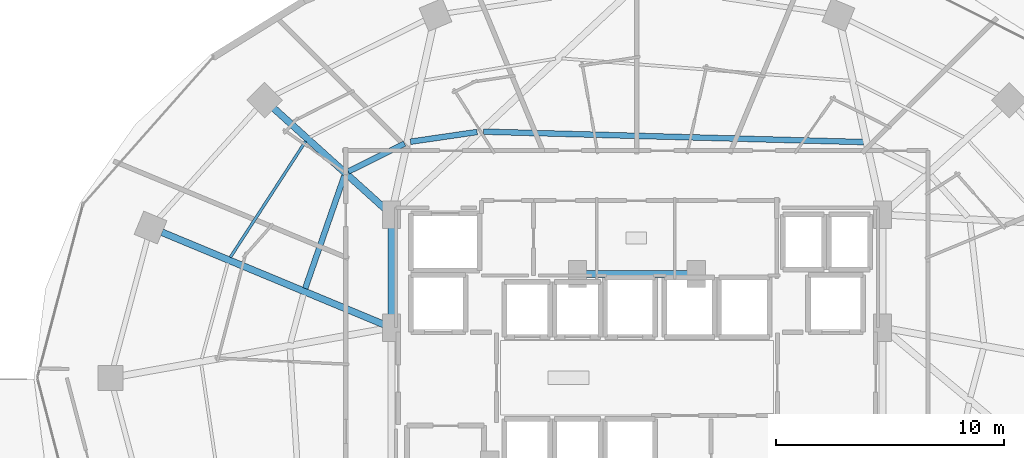
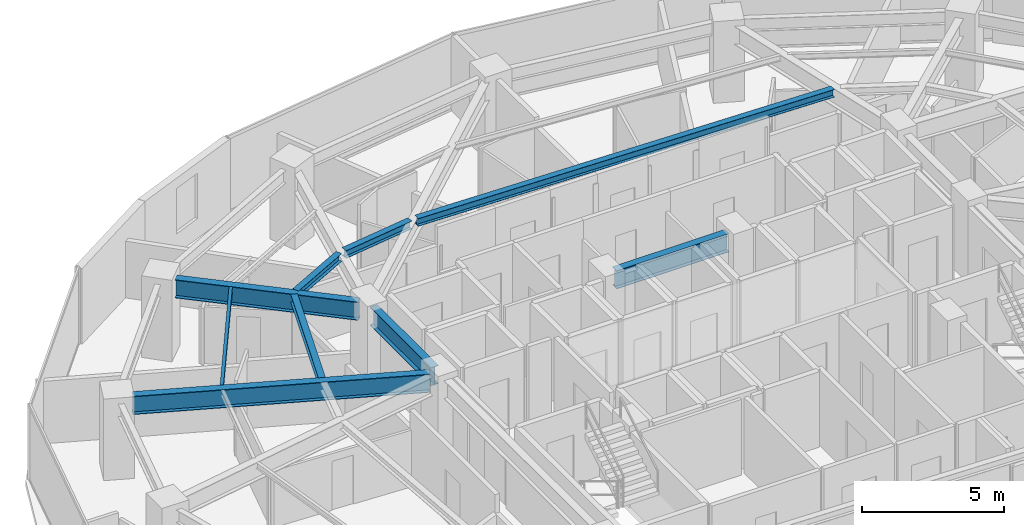
# One storey, part 10 of 30: 9 beams.
"""IFC4 building model written with IfcOpenShell, lengths in metres."""

from ifc_helpers import new_model, si_unit, direction, frame, origin, origin_2d, place, context, subcontext, project, spatial, i_section, extrude, material, material_profile, profile_set, type_object, element, save


model = new_model("IFC4")

# Units and contexts
model_context = context("Model", 3, precision=1e-05, world=origin(), true_north=direction((0.0, 1.0)))
body_context = subcontext(model_context, "Body", "Model", "MODEL_VIEW")
ifc_project = project(units=[si_unit("LENGTHUNIT", "METRE"), si_unit("AREAUNIT", "SQUARE_METRE"), si_unit("VOLUMEUNIT", "CUBIC_METRE"), si_unit("PLANEANGLEUNIT", "RADIAN"), si_unit("MASSUNIT", "GRAM", prefix="KILO")], contexts=[model_context])

# Site, building, storey
site_placement = place(None, origin())
site = spatial("IfcSite", under=ifc_project, at=site_placement, CompositionType="ELEMENT")
building_placement = place(site_placement, origin())
building = spatial("IfcBuilding", under=site, at=building_placement, Name="Vorneva Point Tower", CompositionType="ELEMENT")
storey_placement = place(building_placement, frame((0.0, 0.0, 106.800048828125)))
storey = spatial("IfcBuildingStorey", under=building, at=storey_placement, Name="L28", CompositionType="ELEMENT", Elevation=106.800048828125)

# Beams
ifc_material = material(Name="Steel S355", Category="steel")
ifc_material_profile_1 = material_profile(ifc_material, i_section(OverallWidth=0.300048828125, OverallDepth=0.7880859375, WebThickness=0.014404296875, FlangeThickness=0.02197265625, at=origin_2d()), Name="80Sh1")
ifc_profile_set_1 = profile_set([ifc_material_profile_1], Name="Steel S355")
beam_type_1 = type_object("IfcBeamType", Name="BM-GRD-80Sh1", PredefinedType="USERDEFINED", material=ifc_profile_set_1)
beam_1_placement = place(storey_placement, frame((22.100341796875, 37.801513671875, 2.845947265625), z_axis=(0.742097300344, -0.670292172729, 0.0), x_axis=(0.670292172729, 0.742097300344, 0.0)))
element("IfcBeam", 1, at=beam_1_placement, inside=storey, type_object=beam_type_1, Name="L28 Radial Primary Girder 07", ObjectType="GIRDER", PredefinedType="USERDEFINED", context=body_context, shape_type="SweptSolid", body=[
    extrude(i_section(OverallWidth=0.300048828125, OverallDepth=0.7880859375, WebThickness=0.014404296875, FlangeThickness=0.02197265625, at=origin_2d()), origin(), (0.0, 0.0, 1.0), 6.599365234375),
])
beam_2_placement = place(storey_placement, frame((17.201416015625, 32.375732421875, 2.845947265625), z_axis=(0.923444451211, -0.383732127307, 0.0), x_axis=(0.383732127307, 0.923444451211, 0.0)))
element("IfcBeam", 2, at=beam_2_placement, inside=storey, type_object=beam_type_1, Name="L28 Radial Primary Girder 08", ObjectType="GIRDER", PredefinedType="USERDEFINED", context=body_context, shape_type="SweptSolid", body=[
    extrude(i_section(OverallWidth=0.300048828125, OverallDepth=0.7880859375, WebThickness=0.014404296875, FlangeThickness=0.02197265625, at=origin_2d()), origin(), (0.0, 0.0, 1.0), 10.541748046875),
])
beam_3_placement = place(storey_placement, frame((27.25, 28.52001953125, 2.845947265625), z_axis=(0.0, 1.0, 0.0), x_axis=(-1.0, 0.0, 0.0)))
element("IfcBeam", 3, at=beam_3_placement, inside=storey, type_object=beam_type_1, Name="L28 Core Tie Girder CT2", ObjectType="GIRDER", PredefinedType="USERDEFINED", context=body_context, shape_type="SweptSolid", body=[
    extrude(i_section(OverallWidth=0.300048828125, OverallDepth=0.7880859375, WebThickness=0.014404296875, FlangeThickness=0.02197265625, at=origin_2d()), origin(), (0.0, 0.0, 1.0), 4.31005859375),
])
beam_4_placement = place(storey_placement, frame((35.719970703125, 30.550048828125, 2.845947265625), z_axis=(1.0, 0.0, 0.0), x_axis=(0.0, 1.0, 0.0)))
element("IfcBeam", 4, at=beam_4_placement, inside=storey, type_object=beam_type_1, Name="L28 Core Tie Girder CT8", ObjectType="GIRDER", PredefinedType="USERDEFINED", context=body_context, shape_type="SweptSolid", body=[
    extrude(i_section(OverallWidth=0.300048828125, OverallDepth=0.7880859375, WebThickness=0.014404296875, FlangeThickness=0.02197265625, at=origin_2d()), origin(), (0.0, 0.0, 1.0), 4.56005859375),
])
ifc_material_profile_2 = material_profile(ifc_material, i_section(OverallWidth=0.1240234375, OverallDepth=0.248046875, WebThickness=0.0048828125, FlangeThickness=0.008056640625, at=origin_2d()), Name="25B1")
ifc_profile_set_2 = profile_set([ifc_material_profile_2], Name="Steel S355")
beam_type_2 = type_object("IfcBeamType", Name="BM-JST-25B1", PredefinedType="JOIST", material=ifc_profile_set_2)
beam_5_placement = place(storey_placement, frame((23.494384765625, 36.358642578125, 3.115966796875), z_axis=(-0.544388916418, -0.838832943846, 0.0), x_axis=(0.838832943846, -0.544388916418, 0.0)))
element("IfcBeam", 5, at=beam_5_placement, inside=storey, type_object=beam_type_2, Name="L28 Secondary Floor Beam 1.07", PredefinedType="JOIST", context=body_context, shape_type="SweptSolid", body=[
    extrude(i_section(OverallWidth=0.1240234375, OverallDepth=0.248046875, WebThickness=0.0048828125, FlangeThickness=0.008056640625, at=origin_2d()), origin(), (0.0, 0.0, 1.0), 6.056884765625),
])
ifc_material_profile_3 = material_profile(ifc_material, i_section(OverallWidth=0.2490234375, OverallDepth=0.333984375, WebThickness=0.008056640625, FlangeThickness=0.010986328125, at=origin_2d()), Name="35Sh1")
ifc_profile_set_3 = profile_set([ifc_material_profile_3], Name="Steel S355")
beam_type_3 = type_object("IfcBeamType", Name="BM-SEC-35Sh1", PredefinedType="BEAM", material=ifc_profile_set_3)
beam_6_placement = place(storey_placement, frame((47.912353515625, 36.32373046875, 3.072998046875), z_axis=(-0.999623292618, 0.027445816722, 0.0), x_axis=(-0.027445816722, -0.999623292618, 0.0)))
element("IfcBeam", 6, at=beam_6_placement, inside=storey, type_object=beam_type_3, Name="L28 Secondary Floor Beam 2.04", PredefinedType="BEAM", context=body_context, shape_type="SweptSolid", body=[
    extrude(i_section(OverallWidth=0.2490234375, OverallDepth=0.333984375, WebThickness=0.008056640625, FlangeThickness=0.010986328125, at=origin_2d()), origin(), (0.0, 0.0, 1.0), 16.643310546875),
])
beam_7_placement = place(storey_placement, frame((31.0009765625, 36.764404296875, 3.072998046875), z_axis=(-0.989557870421, -0.144136119998, 0.0), x_axis=(0.144136119998, -0.989557870421, 0.0)))
element("IfcBeam", 7, at=beam_7_placement, inside=storey, type_object=beam_type_3, Name="L28 Secondary Floor Beam 2.05", PredefinedType="BEAM", context=body_context, shape_type="SweptSolid", body=[
    extrude(i_section(OverallWidth=0.2490234375, OverallDepth=0.333984375, WebThickness=0.008056640625, FlangeThickness=0.010986328125, at=origin_2d()), origin(), (0.0, 0.0, 1.0), 2.945556640625),
])
beam_8_placement = place(storey_placement, frame((27.826171875, 36.258544921875, 3.072998046875), z_axis=(-0.895505315746, -0.445050816728, 0.0), x_axis=(0.445050816728, -0.895505315746, 0.0)))
element("IfcBeam", 8, at=beam_8_placement, inside=storey, type_object=beam_type_3, Name="L28 Secondary Floor Beam 2.06", PredefinedType="BEAM", context=body_context, shape_type="SweptSolid", body=[
    extrude(i_section(OverallWidth=0.2490234375, OverallDepth=0.333984375, WebThickness=0.008056640625, FlangeThickness=0.010986328125, at=origin_2d()), origin(), (0.0, 0.0, 1.0), 2.756103515625),
])
beam_9_placement = place(storey_placement, frame((25.189208984375, 34.840087890625, 3.072998046875), z_axis=(-0.328524258269, -0.944495532932, 0.0), x_axis=(0.944495532932, -0.328524258269, 0.0)))
element("IfcBeam", 9, at=beam_9_placement, inside=storey, type_object=beam_type_3, Name="L28 Secondary Floor Beam 2.07", PredefinedType="BEAM", context=body_context, shape_type="SweptSolid", body=[
    extrude(i_section(OverallWidth=0.2490234375, OverallDepth=0.333984375, WebThickness=0.008056640625, FlangeThickness=0.010986328125, at=origin_2d()), origin(), (0.0, 0.0, 1.0), 5.21240234375),
])

save(model, "model.ifc")
